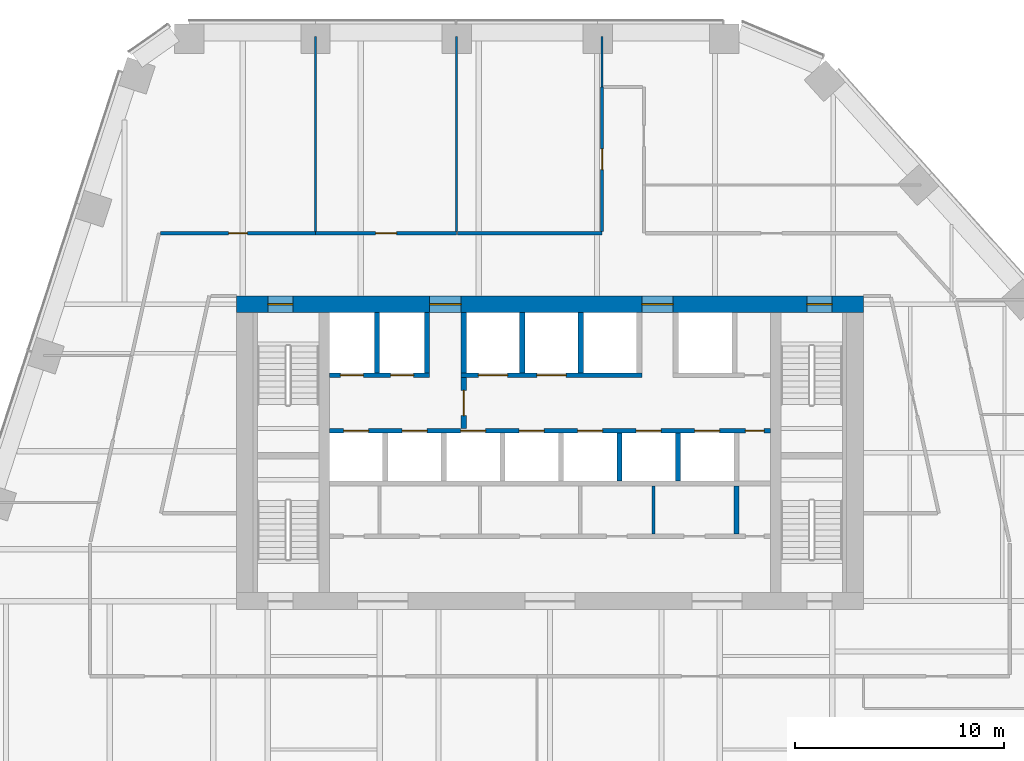
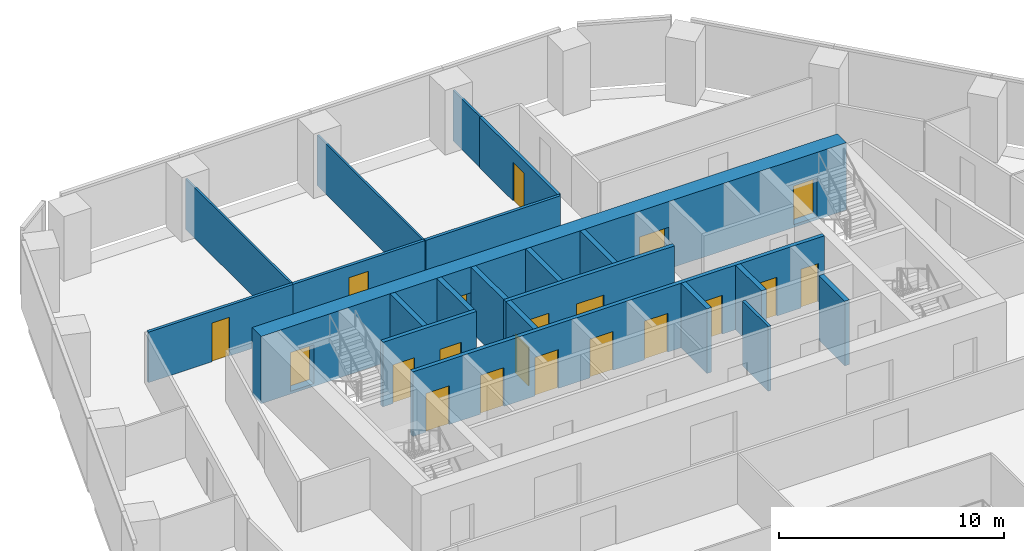
# One storey, part 12 of 16: 21 walls, 20 doors, 20 openings.
"""IFC4 building model written with IfcOpenShell, lengths in metres."""

from ifc_helpers import new_model, si_unit, direction, frame, frame_2d, origin, place, context, subcontext, project, spatial, rectangle, extrude, material, layer, layer_set, type_object, element, fill, save


model = new_model("IFC4")

# Units and contexts
model_context = context("Model", 3, precision=1e-05, world=origin(), true_north=direction((0.0, 1.0)))
body_context = subcontext(model_context, "Body", "Model", "MODEL_VIEW")
ifc_project = project(units=[si_unit("LENGTHUNIT", "METRE"), si_unit("AREAUNIT", "SQUARE_METRE"), si_unit("VOLUMEUNIT", "CUBIC_METRE"), si_unit("PLANEANGLEUNIT", "RADIAN"), si_unit("MASSUNIT", "GRAM", prefix="KILO")], contexts=[model_context])

# Site, building, storey
site_placement = place(None, origin())
site = spatial("IfcSite", under=ifc_project, at=site_placement, CompositionType="ELEMENT")
building_placement = place(site_placement, origin())
building = spatial("IfcBuilding", under=site, at=building_placement, Name="Isthmus Gate Tower", CompositionType="ELEMENT")
storey_placement = place(building_placement, frame((0.0, 0.0, 137.10009765625)))
storey = spatial("IfcBuildingStorey", under=building, at=storey_placement, Name="L33", CompositionType="ELEMENT", Elevation=137.10009765625)

# Wall, opening, door
ifc_material_1 = material(Name="Gypsum board on steel studs, fire-rated", Category="steel")
ifc_layer_1 = layer(ifc_material_1, 0.14990234375)
ifc_layer_set_1 = layer_set([ifc_layer_1], Name="CORRIDOR WALL 150 60 MIN")
wall_type_1 = type_object("IfcWallType", Name="CORRIDOR WALL 150 60 MIN", PredefinedType="PARTITIONING", material=ifc_layer_set_1)
wall_1_placement = place(storey_placement, frame((-11.2119140625, 18.0, 0.0), z_axis=(0.0, 0.0, 1.0), x_axis=(1.0, 0.0, 0.0)))
wall_1 = element("IfcWall", 1, at=wall_1_placement, inside=storey, type_object=wall_type_1, Name="L33 Corridor Wall 150 60 Min", PredefinedType="PARTITIONING", context=body_context, shape_type="SweptSolid", body=[
    extrude(rectangle(XDim=6.75, YDim=0.14990234375, at=frame_2d((3.375, 0.0))), origin(), (0.0, 0.0, 1.0), 2.7412109375),
])
opening_1_placement = place(wall_1_placement, frame((2.875, 0.0, 0.0)))
opening_1 = element("IfcOpeningElement", 2, at=opening_1_placement, cuts=wall_1, Name="Opening DT-T3B-01", PredefinedType="OPENING", context=body_context, shape_type="SweptSolid", body=[
    extrude(rectangle(XDim=1.0, YDim=2.10009765625, at=frame_2d((0.5, 1.050048828125))), frame((0.0, 0.0849609375, 0.0), z_axis=(0.0, -1.0, 0.0), x_axis=(1.0, 0.0, 0.0)), (0.0, 0.0, 1.0), 0.169921875),
])
ifc_material_2 = material(Name="Solid core timber door leaf, fire-rated", Category="wood")
door_type_1 = type_object("IfcDoorType", Name="FIRE DOOR ROOM 1000 X 2100 60 MIN", OperationType="SINGLE_SWING_LEFT", PredefinedType="DOOR", material=ifc_material_2)
door_1_placement = place(opening_1_placement, origin())
door_1 = element("IfcDoor", 3, at=door_1_placement, inside=storey, type_object=door_type_1, Name="L33 room door", OperationType="SINGLE_SWING_RIGHT", OverallHeight=2.10009765625, OverallWidth=1.0, PredefinedType="DOOR", context=body_context, shape_type="SweptSolid", body=[
    extrude(rectangle(XDim=1.0, YDim=2.10009765625, at=frame_2d((0.5, 1.050048828125))), frame((0.0, 0.02490234375, 0.0), z_axis=(0.0, -1.0, 0.0), x_axis=(1.0, 0.0, 0.0)), (0.0, 0.0, 1.0), 0.050048828125),
])
fill(opening_1, door_1)

# Wall
wall_2_placement = place(storey_placement, frame((-4.412109375, 18.0, 0.0), z_axis=(0.0, 0.0, 1.0), x_axis=(1.0, 0.0, 0.0)))
element("IfcWall", 4, at=wall_2_placement, inside=storey, type_object=wall_type_1, Name="L33 Corridor Wall 150 60 Min", PredefinedType="PARTITIONING", context=body_context, shape_type="SweptSolid", body=[
    extrude(rectangle(XDim=6.912109375, YDim=0.14990234375, at=frame_2d((3.4560546875, 0.0))), origin(), (0.0, 0.0, 1.0), 2.7412109375),
])

# Wall, opening, door
wall_3_placement = place(storey_placement, frame((2.5, 18.074951171875, 0.0), z_axis=(0.0, 0.0, 1.0), x_axis=(0.0, 1.0, 0.0)))
wall_3 = element("IfcWall", 5, at=wall_3_placement, inside=storey, type_object=wall_type_1, Name="L33 Corridor Wall 150 60 Min", PredefinedType="PARTITIONING", context=body_context, shape_type="SweptSolid", body=[
    extrude(rectangle(XDim=6.925048828125, YDim=0.14990234375, at=frame_2d((3.46240234375, 0.0))), origin(), (0.0, 0.0, 1.0), 2.7412109375),
])
opening_2_placement = place(wall_3_placement, frame((2.96240234375, 0.0, 0.0)))
opening_2 = element("IfcOpeningElement", 6, at=opening_2_placement, cuts=wall_3, Name="Opening DT-T3B-02", PredefinedType="OPENING", context=body_context, shape_type="SweptSolid", body=[
    extrude(rectangle(XDim=1.0, YDim=2.10009765625, at=frame_2d((0.5, 1.050048828125))), frame((0.0, 0.0849609375, 0.0), z_axis=(0.0, -1.0, 0.0), x_axis=(1.0, 0.0, 0.0)), (0.0, 0.0, 1.0), 0.169921875),
])
door_2_placement = place(opening_2_placement, origin())
door_2 = element("IfcDoor", 7, at=door_2_placement, inside=storey, type_object=door_type_1, Name="L33 room door", OperationType="SINGLE_SWING_RIGHT", OverallHeight=2.10009765625, OverallWidth=1.0, PredefinedType="DOOR", context=body_context, shape_type="SweptSolid", body=[
    extrude(rectangle(XDim=1.0, YDim=2.10009765625, at=frame_2d((0.5, 1.050048828125))), frame((0.0, 0.02490234375, 0.0), z_axis=(0.0, -1.0, 0.0), x_axis=(1.0, 0.0, 0.0)), (0.0, 0.0, 1.0), 0.050048828125),
])
fill(opening_2, door_2)

wall_4_placement = place(storey_placement, frame((-18.6279296875, 18.0, 0.0), z_axis=(0.0, 0.0, 1.0), x_axis=(1.0, 0.0, 0.0)))
wall_4 = element("IfcWall", 8, at=wall_4_placement, inside=storey, type_object=wall_type_1, Name="L33 Corridor Wall 150 60 Min", PredefinedType="PARTITIONING", context=body_context, shape_type="SweptSolid", body=[
    extrude(rectangle(XDim=7.416015625, YDim=0.14990234375, at=frame_2d((3.7080078125, 0.0))), origin(), (0.0, 0.0, 1.0), 2.7412109375),
])
opening_3_placement = place(wall_4_placement, frame((3.258056640625, 0.0, 0.0)))
opening_3 = element("IfcOpeningElement", 9, at=opening_3_placement, cuts=wall_4, Name="Opening DT-T3B-04", PredefinedType="OPENING", context=body_context, shape_type="SweptSolid", body=[
    extrude(rectangle(XDim=0.89990234375, YDim=2.10009765625, at=frame_2d((0.449951171875, 1.050048828125))), frame((0.0, 0.0849609375, 0.0), z_axis=(0.0, -1.0, 0.0), x_axis=(1.0, 0.0, 0.0)), (0.0, 0.0, 1.0), 0.169921875),
])
ifc_material_3 = material(Name="Solid core timber door leaf, fire-rated", Category="wood")
door_type_2 = type_object("IfcDoorType", Name="FIRE DOOR ROOM 900 X 2100 60 MIN", OperationType="SINGLE_SWING_LEFT", PredefinedType="DOOR", material=ifc_material_3)
door_3_placement = place(opening_3_placement, origin())
door_3 = element("IfcDoor", 10, at=door_3_placement, inside=storey, type_object=door_type_2, Name="L33 room door", OperationType="SINGLE_SWING_RIGHT", OverallHeight=2.10009765625, OverallWidth=0.89990234375, PredefinedType="DOOR", context=body_context, shape_type="SweptSolid", body=[
    extrude(rectangle(XDim=0.89990234375, YDim=2.10009765625, at=frame_2d((0.449951171875, 1.050048828125))), frame((0.0, 0.02490234375, 0.0), z_axis=(0.0, -1.0, 0.0), x_axis=(1.0, 0.0, 0.0)), (0.0, 0.0, 1.0), 0.050048828125),
])
fill(opening_3, door_3)

ifc_material_4 = material(Name="Fire-rated blockwork masonry, 15 MPa", Category="masonry")
ifc_layer_2 = layer(ifc_material_4, 0.25)
ifc_layer_set_2 = layer_set([ifc_layer_2], Name="FIRE-FIGHTING LOBBY WALL 250 90 MIN")
wall_type_2 = type_object("IfcWallType", Name="FIRE-FIGHTING LOBBY WALL 250 90 MIN", PredefinedType="PARTITIONING", material=ifc_layer_set_2)
wall_5_placement = place(storey_placement, frame((-4.125, 8.64990234375, 0.0), z_axis=(0.0, 0.0, 1.0), x_axis=(0.0, 1.0, 0.0)))
wall_5 = element("IfcWall", 11, at=wall_5_placement, inside=storey, type_object=wall_type_2, Name="L33 FIRE-FIGHTING LOBBY WALL 250 90 MIN", PredefinedType="PARTITIONING", context=body_context, shape_type="SweptSolid", body=[
    extrude(rectangle(XDim=2.4501953125, YDim=0.25, at=frame_2d((1.22509765625, 0.0))), origin(), (0.0, 0.0, 1.0), 3.5),
])
opening_4_placement = place(wall_5_placement, frame((0.625, 0.0, 0.0)))
opening_4 = element("IfcOpeningElement", 12, at=opening_4_placement, cuts=wall_5, Name="Opening DC-A12-01", PredefinedType="OPENING", context=body_context, shape_type="SweptSolid", body=[
    extrude(rectangle(XDim=1.199951171875, YDim=2.10009765625, at=frame_2d((0.60009765625, 1.050048828125))), frame((0.0, 0.135009765625, 0.0), z_axis=(0.0, -1.0, 0.0), x_axis=(1.0, 0.0, 0.0)), (0.0, 0.0, 1.0), 0.27001953125),
])
ifc_material_5 = material(Name="Steel door leaf, fire-rated", Category="steel")
door_type_3 = type_object("IfcDoorType", Name="LOBBY FIRE DOOR 1200 X 2100 90 MIN", OperationType="DOUBLE_DOOR_SINGLE_SWING", PredefinedType="DOOR", material=ifc_material_5)
door_4_placement = place(opening_4_placement, origin())
door_4 = element("IfcDoor", 13, at=door_4_placement, inside=storey, type_object=door_type_3, Name="Fire-fighting Lobby Door", OperationType="SINGLE_SWING_LEFT", OverallHeight=2.10009765625, OverallWidth=1.199951171875, PredefinedType="DOOR", context=body_context, shape_type="SweptSolid", body=[
    extrude(rectangle(XDim=1.199951171875, YDim=2.10009765625, at=frame_2d((0.60009765625, 1.050048828125))), frame((0.0, 0.02490234375, 0.0), z_axis=(0.0, -1.0, 0.0), x_axis=(1.0, 0.0, 0.0)), (0.0, 0.0, 1.0), 0.050048828125),
])
fill(opening_4, door_4)

# Wall, openings, doors
ifc_material_6 = material(Name="Concrete f'c 60 MPa", Category="concrete")
ifc_layer_3 = layer(ifc_material_6, 0.800048828125)
ifc_layer_set_3 = layer_set([ifc_layer_3], Name="RC CORE WALL 800 F'C 60")
wall_type_3 = type_object("IfcWallType", Name="RC CORE WALL 800 F'C 60", PredefinedType="SOLIDWALL", material=ifc_layer_set_3)
wall_6_placement = place(storey_placement, frame((-15.0, 14.60009765625, -0.150146484375), z_axis=(0.0, 0.0, 1.0), x_axis=(1.0, 0.0, 0.0)))
wall_6 = element("IfcWall", 14, at=wall_6_placement, inside=storey, type_object=wall_type_3, Name="str-corewall-L33-N", PredefinedType="SOLIDWALL", context=body_context, shape_type="SweptSolid", body=[
    extrude(rectangle(XDim=30.0, YDim=0.800048828125, at=frame_2d((15.0, 0.0))), origin(), (0.0, 0.0, 1.0), 3.650146484375),
])
opening_5_placement = place(wall_6_placement, frame((9.25, 0.0, 0.14990234375)))
opening_5 = element("IfcOpeningElement", 15, at=opening_5_placement, cuts=wall_6, Name="Opening DC-A12-13", PredefinedType="OPENING", context=body_context, shape_type="SweptSolid", body=[
    extrude(rectangle(XDim=1.5, YDim=2.10009765625, at=frame_2d((0.75, 1.050048828125))), frame((0.0, 0.409912109375, 0.0), z_axis=(0.0, -1.0, 0.0), x_axis=(1.0, 0.0, 0.0)), (0.0, 0.0, 1.0), 0.820068359375),
])
opening_6_placement = place(wall_6_placement, frame((19.39990234375, 0.0, 0.14990234375)))
opening_6 = element("IfcOpeningElement", 16, at=opening_6_placement, cuts=wall_6, Name="Opening DC-A12-14", PredefinedType="OPENING", context=body_context, shape_type="SweptSolid", body=[
    extrude(rectangle(XDim=1.5, YDim=2.10009765625, at=frame_2d((0.75, 1.050048828125))), frame((0.0, 0.409912109375, 0.0), z_axis=(0.0, -1.0, 0.0), x_axis=(1.0, 0.0, 0.0)), (0.0, 0.0, 1.0), 0.820068359375),
])
opening_7_placement = place(wall_6_placement, frame((1.5, 0.0, 0.14990234375)))
opening_7 = element("IfcOpeningElement", 17, at=opening_7_placement, cuts=wall_6, Name="Opening DC-A12-15", PredefinedType="OPENING", context=body_context, shape_type="SweptSolid", body=[
    extrude(rectangle(XDim=1.199951171875, YDim=2.10009765625, at=frame_2d((0.60009765625, 1.050048828125))), frame((0.0, 0.409912109375, 0.0), z_axis=(0.0, -1.0, 0.0), x_axis=(1.0, 0.0, 0.0)), (0.0, 0.0, 1.0), 0.820068359375),
])
opening_8_placement = place(wall_6_placement, frame((27.300048828125, 0.0, 0.14990234375)))
opening_8 = element("IfcOpeningElement", 18, at=opening_8_placement, cuts=wall_6, Name="Opening DC-A12-16", PredefinedType="OPENING", context=body_context, shape_type="SweptSolid", body=[
    extrude(rectangle(XDim=1.199951171875, YDim=2.10009765625, at=frame_2d((0.60009765625, 1.050048828125))), frame((0.0, 0.409912109375, 0.0), z_axis=(0.0, -1.0, 0.0), x_axis=(1.0, 0.0, 0.0)), (0.0, 0.0, 1.0), 0.820068359375),
])
ifc_material_7 = material(Name="Steel door leaf, fire-rated", Category="steel")
door_type_4 = type_object("IfcDoorType", Name="LOBBY FIRE DOOR 1500 X 2100 60 MIN", OperationType="DOUBLE_DOOR_SINGLE_SWING", PredefinedType="DOOR", material=ifc_material_7)
door_5_placement = place(opening_6_placement, origin())
door_5 = element("IfcDoor", 19, at=door_5_placement, inside=storey, type_object=door_type_4, Name="Lobby Door PN-E", OperationType="DOUBLE_DOOR_SINGLE_SWING", OverallHeight=2.10009765625, OverallWidth=1.5, PredefinedType="DOOR", context=body_context, shape_type="SweptSolid", body=[
    extrude(rectangle(XDim=1.5, YDim=2.10009765625, at=frame_2d((0.75, 1.050048828125))), frame((0.0, 0.02490234375, 0.0), z_axis=(0.0, -1.0, 0.0), x_axis=(1.0, 0.0, 0.0)), (0.0, 0.0, 1.0), 0.050048828125),
])
fill(opening_6, door_5)
ifc_material_8 = material(Name="Steel door leaf, fire-rated", Category="steel")
door_type_5 = type_object("IfcDoorType", Name="LOBBY FIRE DOOR 1500 X 2100 90 MIN", OperationType="DOUBLE_DOOR_SINGLE_SWING", PredefinedType="DOOR", material=ifc_material_8)
door_6_placement = place(opening_5_placement, origin())
door_6 = element("IfcDoor", 20, at=door_6_placement, inside=storey, type_object=door_type_5, Name="Lobby Door PN-W", OperationType="DOUBLE_DOOR_SINGLE_SWING", OverallHeight=2.10009765625, OverallWidth=1.5, PredefinedType="DOOR", context=body_context, shape_type="SweptSolid", body=[
    extrude(rectangle(XDim=1.5, YDim=2.10009765625, at=frame_2d((0.75, 1.050048828125))), frame((0.0, 0.02490234375, 0.0), z_axis=(0.0, -1.0, 0.0), x_axis=(1.0, 0.0, 0.0)), (0.0, 0.0, 1.0), 0.050048828125),
])
fill(opening_5, door_6)
ifc_material_9 = material(Name="Steel door leaf, fire-rated", Category="steel")
door_type_6 = type_object("IfcDoorType", Name="STAIR FIRE DOOR 1200 X 2100 90 MIN", OperationType="SINGLE_SWING_LEFT", PredefinedType="DOOR", material=ifc_material_9)
door_7_placement = place(opening_7_placement, origin())
door_7 = element("IfcDoor", 21, at=door_7_placement, inside=storey, type_object=door_type_6, Name="Exit Stair 1 Door", OperationType="SINGLE_SWING_RIGHT", OverallHeight=2.10009765625, OverallWidth=1.199951171875, PredefinedType="DOOR", context=body_context, shape_type="SweptSolid", body=[
    extrude(rectangle(XDim=1.199951171875, YDim=2.10009765625, at=frame_2d((0.60009765625, 1.050048828125))), frame((0.0, 0.02490234375, 0.0), z_axis=(0.0, -1.0, 0.0), x_axis=(1.0, 0.0, 0.0)), (0.0, 0.0, 1.0), 0.050048828125),
])
fill(opening_7, door_7)
door_8_placement = place(opening_8_placement, origin())
door_8 = element("IfcDoor", 22, at=door_8_placement, inside=storey, type_object=door_type_6, Name="Exit Stair 2 Door", OperationType="SINGLE_SWING_LEFT", OverallHeight=2.10009765625, OverallWidth=1.199951171875, PredefinedType="DOOR", context=body_context, shape_type="SweptSolid", body=[
    extrude(rectangle(XDim=1.199951171875, YDim=2.10009765625, at=frame_2d((0.60009765625, 1.050048828125))), frame((0.0, 0.02490234375, 0.0), z_axis=(0.0, -1.0, 0.0), x_axis=(1.0, 0.0, 0.0)), (0.0, 0.0, 1.0), 0.050048828125),
])
fill(opening_8, door_8)

# Walls
ifc_material_10 = material(Name="Gypsum board on steel studs, fire-rated", Category="steel")
ifc_layer_4 = layer(ifc_material_10, 0.10009765625)
ifc_layer_set_4 = layer_set([ifc_layer_4], Name="ROOM PARTITION 100 30 MIN")
wall_type_4 = type_object("IfcWallType", Name="ROOM PARTITION 100 30 MIN", PredefinedType="PARTITIONING", material=ifc_layer_set_4)
wall_7_placement = place(storey_placement, frame((-4.4619140625, 18.074951171875, 0.0), z_axis=(0.0, 0.0, 1.0), x_axis=(0.0, 1.0, 0.0)))
element("IfcWall", 23, at=wall_7_placement, inside=storey, type_object=wall_type_4, Name="L33 Room Partition 100 30 Min", PredefinedType="PARTITIONING", context=body_context, shape_type="SweptSolid", body=[
    extrude(rectangle(XDim=9.324951171875, YDim=0.10009765625, at=frame_2d((4.66259765625, 0.0))), origin(), (0.0, 0.0, 1.0), 2.7412109375),
])
wall_8_placement = place(storey_placement, frame((2.5, 25.0, 0.0), z_axis=(0.0, 0.0, 1.0), x_axis=(0.0, 1.0, 0.0)))
element("IfcWall", 24, at=wall_8_placement, inside=storey, type_object=wall_type_4, Name="L33 Room Partition 100 30 Min", PredefinedType="PARTITIONING", context=body_context, shape_type="SweptSolid", body=[
    extrude(rectangle(XDim=2.39990234375, YDim=0.10009765625, at=frame_2d((1.199951171875, 0.0))), origin(), (0.0, 0.0, 1.0), 2.7412109375),
])
wall_9_placement = place(storey_placement, frame((-11.2119140625, 18.074951171875, 0.0), z_axis=(0.0, 0.0, 1.0), x_axis=(0.0, 1.0, 0.0)))
element("IfcWall", 25, at=wall_9_placement, inside=storey, type_object=wall_type_4, Name="L33 Room Partition 100 30 Min", PredefinedType="PARTITIONING", context=body_context, shape_type="SweptSolid", body=[
    extrude(rectangle(XDim=9.324951171875, YDim=0.10009765625, at=frame_2d((4.66259765625, 0.0))), origin(), (0.0, 0.0, 1.0), 2.7412109375),
])
ifc_material_11 = material(Name="Gypsum board on steel studs, fire-rated", Category="steel")
ifc_layer_5 = layer(ifc_material_11, 0.14990234375)
ifc_layer_set_5 = layer_set([ifc_layer_5], Name="ROOM PARTITION 150 60 MIN")
wall_type_5 = type_object("IfcWallType", Name="ROOM PARTITION 150 60 MIN", PredefinedType="PARTITIONING", material=ifc_layer_set_5)
wall_10_placement = place(storey_placement, frame((4.949951171875, 3.60009765625, 0.0), z_axis=(0.0, 0.0, 1.0), x_axis=(0.0, 1.0, 0.0)))
element("IfcWall", 26, at=wall_10_placement, inside=storey, type_object=wall_type_5, Name="L33 ROOM PARTITION 150 60 MIN", PredefinedType="PARTITIONING", context=body_context, shape_type="SweptSolid", body=[
    extrude(rectangle(XDim=2.2998046875, YDim=0.14990234375, at=frame_2d((1.14990234375, 0.0))), origin(), (0.0, 0.0, 1.0), 3.5),
])

# Wall, openings, doors
ifc_material_12 = material(Name="Fire-rated blockwork masonry, 15 MPa", Category="masonry")
ifc_layer_6 = layer(ifc_material_12, 0.199951171875)
ifc_layer_set_6 = layer_set([ifc_layer_6], Name="SHAFT FRONT WALL 200 120 MIN")
wall_type_6 = type_object("IfcWallType", Name="SHAFT FRONT WALL 200 120 MIN", PredefinedType="PARTITIONING", material=ifc_layer_set_6)
wall_11_placement = place(storey_placement, frame((-10.550048828125, 8.550048828125, 0.0), z_axis=(0.0, 0.0, 1.0), x_axis=(1.0, 0.0, 0.0)))
wall_11 = element("IfcWall", 27, at=wall_11_placement, inside=storey, type_object=wall_type_6, Name="L33 SHAFT FRONT WALL 200 120 MIN", PredefinedType="PARTITIONING", context=body_context, shape_type="SweptSolid", body=[
    extrude(rectangle(XDim=21.10009765625, YDim=0.199951171875, at=frame_2d((10.550048828125, 0.0))), origin(), (0.0, 0.0, 1.0), 3.5),
])
opening_9_placement = place(wall_11_placement, frame((0.675048828125, 0.0, 0.0)))
opening_9 = element("IfcOpeningElement", 28, at=opening_9_placement, cuts=wall_11, Name="Opening LD-LB1", PredefinedType="OPENING", context=body_context, shape_type="SweptSolid", body=[
    extrude(rectangle(XDim=1.199951171875, YDim=2.10009765625, at=frame_2d((0.60009765625, 1.050048828125))), frame((0.0, 0.10986328125, 0.0), z_axis=(0.0, -1.0, 0.0), x_axis=(1.0, 0.0, 0.0)), (0.0, 0.0, 1.0), 0.219970703125),
])
opening_10_placement = place(wall_11_placement, frame((3.47509765625, 0.0, 0.0)))
opening_10 = element("IfcOpeningElement", 29, at=opening_10_placement, cuts=wall_11, Name="Opening LD-LB2", PredefinedType="OPENING", context=body_context, shape_type="SweptSolid", body=[
    extrude(rectangle(XDim=1.199951171875, YDim=2.10009765625, at=frame_2d((0.60009765625, 1.050048828125))), frame((0.0, 0.10986328125, 0.0), z_axis=(0.0, -1.0, 0.0), x_axis=(1.0, 0.0, 0.0)), (0.0, 0.0, 1.0), 0.219970703125),
])
opening_11_placement = place(wall_11_placement, frame((6.27490234375, 0.0, 0.0)))
opening_11 = element("IfcOpeningElement", 30, at=opening_11_placement, cuts=wall_11, Name="Opening LD-LB3", PredefinedType="OPENING", context=body_context, shape_type="SweptSolid", body=[
    extrude(rectangle(XDim=1.199951171875, YDim=2.10009765625, at=frame_2d((0.60009765625, 1.050048828125))), frame((0.0, 0.10986328125, 0.0), z_axis=(0.0, -1.0, 0.0), x_axis=(1.0, 0.0, 0.0)), (0.0, 0.0, 1.0), 0.219970703125),
])
opening_12_placement = place(wall_11_placement, frame((9.074951171875, 0.0, 0.0)))
opening_12 = element("IfcOpeningElement", 31, at=opening_12_placement, cuts=wall_11, Name="Opening LD-LB4", PredefinedType="OPENING", context=body_context, shape_type="SweptSolid", body=[
    extrude(rectangle(XDim=1.199951171875, YDim=2.10009765625, at=frame_2d((0.60009765625, 1.050048828125))), frame((0.0, 0.10986328125, 0.0), z_axis=(0.0, -1.0, 0.0), x_axis=(1.0, 0.0, 0.0)), (0.0, 0.0, 1.0), 0.219970703125),
])
opening_13_placement = place(wall_11_placement, frame((11.875, 0.0, 0.0)))
opening_13 = element("IfcOpeningElement", 32, at=opening_13_placement, cuts=wall_11, Name="Opening LD-LB5", PredefinedType="OPENING", context=body_context, shape_type="SweptSolid", body=[
    extrude(rectangle(XDim=1.199951171875, YDim=2.10009765625, at=frame_2d((0.60009765625, 1.050048828125))), frame((0.0, 0.10986328125, 0.0), z_axis=(0.0, -1.0, 0.0), x_axis=(1.0, 0.0, 0.0)), (0.0, 0.0, 1.0), 0.219970703125),
])
opening_14_placement = place(wall_11_placement, frame((14.675048828125, 0.0, 0.0)))
opening_14 = element("IfcOpeningElement", 33, at=opening_14_placement, cuts=wall_11, Name="Opening LD-LB6", PredefinedType="OPENING", context=body_context, shape_type="SweptSolid", body=[
    extrude(rectangle(XDim=1.199951171875, YDim=2.10009765625, at=frame_2d((0.60009765625, 1.050048828125))), frame((0.0, 0.10986328125, 0.0), z_axis=(0.0, -1.0, 0.0), x_axis=(1.0, 0.0, 0.0)), (0.0, 0.0, 1.0), 0.219970703125),
])
opening_15_placement = place(wall_11_placement, frame((17.47509765625, 0.0, 0.0)))
opening_15 = element("IfcOpeningElement", 34, at=opening_15_placement, cuts=wall_11, Name="Opening LD-LB7", PredefinedType="OPENING", context=body_context, shape_type="SweptSolid", body=[
    extrude(rectangle(XDim=1.199951171875, YDim=2.10009765625, at=frame_2d((0.60009765625, 1.050048828125))), frame((0.0, 0.10986328125, 0.0), z_axis=(0.0, -1.0, 0.0), x_axis=(1.0, 0.0, 0.0)), (0.0, 0.0, 1.0), 0.219970703125),
])
opening_16_placement = place(wall_11_placement, frame((19.89990234375, 0.0, 0.0)))
opening_16 = element("IfcOpeningElement", 35, at=opening_16_placement, cuts=wall_11, Name="Opening DC-A12-08", PredefinedType="OPENING", context=body_context, shape_type="SweptSolid", body=[
    extrude(rectangle(XDim=0.89990234375, YDim=2.10009765625, at=frame_2d((0.449951171875, 1.050048828125))), frame((0.0, 0.10986328125, 0.0), z_axis=(0.0, -1.0, 0.0), x_axis=(1.0, 0.0, 0.0)), (0.0, 0.0, 1.0), 0.219970703125),
])
ifc_material_13 = material(Name="Stainless steel sliding leaf", Category="steel")
door_type_7 = type_object("IfcDoorType", Name="LIFT LANDING FIRE DOOR 1200 X 2100 90 MIN", OperationType="DOUBLE_DOOR_SLIDING", PredefinedType="DOOR", material=ifc_material_13)
door_9_placement = place(opening_9_placement, origin())
door_9 = element("IfcDoor", 36, at=door_9_placement, inside=storey, type_object=door_type_7, Name="Lift Landing Door LB1", OperationType="DOUBLE_DOOR_SLIDING", OverallHeight=2.10009765625, OverallWidth=1.199951171875, PredefinedType="DOOR", context=body_context, shape_type="SweptSolid", body=[
    extrude(rectangle(XDim=1.199951171875, YDim=2.10009765625, at=frame_2d((0.60009765625, 1.050048828125))), frame((0.0, 0.02490234375, 0.0), z_axis=(0.0, -1.0, 0.0), x_axis=(1.0, 0.0, 0.0)), (0.0, 0.0, 1.0), 0.050048828125),
])
fill(opening_9, door_9)
door_10_placement = place(opening_10_placement, origin())
door_10 = element("IfcDoor", 37, at=door_10_placement, inside=storey, type_object=door_type_7, Name="Lift Landing Door LB2", OperationType="DOUBLE_DOOR_SLIDING", OverallHeight=2.10009765625, OverallWidth=1.199951171875, PredefinedType="DOOR", context=body_context, shape_type="SweptSolid", body=[
    extrude(rectangle(XDim=1.199951171875, YDim=2.10009765625, at=frame_2d((0.60009765625, 1.050048828125))), frame((0.0, 0.02490234375, 0.0), z_axis=(0.0, -1.0, 0.0), x_axis=(1.0, 0.0, 0.0)), (0.0, 0.0, 1.0), 0.050048828125),
])
fill(opening_10, door_10)
door_11_placement = place(opening_11_placement, origin())
door_11 = element("IfcDoor", 38, at=door_11_placement, inside=storey, type_object=door_type_7, Name="Lift Landing Door LB3", OperationType="DOUBLE_DOOR_SLIDING", OverallHeight=2.10009765625, OverallWidth=1.199951171875, PredefinedType="DOOR", context=body_context, shape_type="SweptSolid", body=[
    extrude(rectangle(XDim=1.199951171875, YDim=2.10009765625, at=frame_2d((0.60009765625, 1.050048828125))), frame((0.0, 0.02490234375, 0.0), z_axis=(0.0, -1.0, 0.0), x_axis=(1.0, 0.0, 0.0)), (0.0, 0.0, 1.0), 0.050048828125),
])
fill(opening_11, door_11)
door_12_placement = place(opening_12_placement, origin())
door_12 = element("IfcDoor", 39, at=door_12_placement, inside=storey, type_object=door_type_7, Name="Lift Landing Door LB4", OperationType="DOUBLE_DOOR_SLIDING", OverallHeight=2.10009765625, OverallWidth=1.199951171875, PredefinedType="DOOR", context=body_context, shape_type="SweptSolid", body=[
    extrude(rectangle(XDim=1.199951171875, YDim=2.10009765625, at=frame_2d((0.60009765625, 1.050048828125))), frame((0.0, 0.02490234375, 0.0), z_axis=(0.0, -1.0, 0.0), x_axis=(1.0, 0.0, 0.0)), (0.0, 0.0, 1.0), 0.050048828125),
])
fill(opening_12, door_12)
door_13_placement = place(opening_13_placement, origin())
door_13 = element("IfcDoor", 40, at=door_13_placement, inside=storey, type_object=door_type_7, Name="Lift Landing Door LB5", OperationType="DOUBLE_DOOR_SLIDING", OverallHeight=2.10009765625, OverallWidth=1.199951171875, PredefinedType="DOOR", context=body_context, shape_type="SweptSolid", body=[
    extrude(rectangle(XDim=1.199951171875, YDim=2.10009765625, at=frame_2d((0.60009765625, 1.050048828125))), frame((0.0, 0.02490234375, 0.0), z_axis=(0.0, -1.0, 0.0), x_axis=(1.0, 0.0, 0.0)), (0.0, 0.0, 1.0), 0.050048828125),
])
fill(opening_13, door_13)
door_14_placement = place(opening_14_placement, origin())
door_14 = element("IfcDoor", 41, at=door_14_placement, inside=storey, type_object=door_type_7, Name="Lift Landing Door LB6", OperationType="DOUBLE_DOOR_SLIDING", OverallHeight=2.10009765625, OverallWidth=1.199951171875, PredefinedType="DOOR", context=body_context, shape_type="SweptSolid", body=[
    extrude(rectangle(XDim=1.199951171875, YDim=2.10009765625, at=frame_2d((0.60009765625, 1.050048828125))), frame((0.0, 0.02490234375, 0.0), z_axis=(0.0, -1.0, 0.0), x_axis=(1.0, 0.0, 0.0)), (0.0, 0.0, 1.0), 0.050048828125),
])
fill(opening_14, door_14)
door_15_placement = place(opening_15_placement, origin())
door_15 = element("IfcDoor", 42, at=door_15_placement, inside=storey, type_object=door_type_7, Name="Lift Landing Door LB7", OperationType="DOUBLE_DOOR_SLIDING", OverallHeight=2.10009765625, OverallWidth=1.199951171875, PredefinedType="DOOR", context=body_context, shape_type="SweptSolid", body=[
    extrude(rectangle(XDim=1.199951171875, YDim=2.10009765625, at=frame_2d((0.60009765625, 1.050048828125))), frame((0.0, 0.02490234375, 0.0), z_axis=(0.0, -1.0, 0.0), x_axis=(1.0, 0.0, 0.0)), (0.0, 0.0, 1.0), 0.050048828125),
])
fill(opening_15, door_15)
ifc_material_14 = material(Name="Steel door leaf, fire-rated", Category="steel")
door_type_8 = type_object("IfcDoorType", Name="RISER FIRE DOOR 900 X 2100 90 MIN", OperationType="SINGLE_SWING_LEFT", PredefinedType="DOOR", material=ifc_material_14)
door_16_placement = place(opening_16_placement, origin())
door_16 = element("IfcDoor", 43, at=door_16_placement, inside=storey, type_object=door_type_8, Name="Riser Door", OperationType="SINGLE_SWING_RIGHT", OverallHeight=2.10009765625, OverallWidth=0.89990234375, PredefinedType="DOOR", context=body_context, shape_type="SweptSolid", body=[
    extrude(rectangle(XDim=0.89990234375, YDim=2.10009765625, at=frame_2d((0.449951171875, 1.050048828125))), frame((0.0, 0.02490234375, 0.0), z_axis=(0.0, -1.0, 0.0), x_axis=(1.0, 0.0, 0.0)), (0.0, 0.0, 1.0), 0.050048828125),
])
fill(opening_16, door_16)

wall_12_placement = place(storey_placement, frame((-10.550048828125, 11.199951171875, 0.0), z_axis=(0.0, 0.0, 1.0), x_axis=(1.0, 0.0, 0.0)))
wall_12 = element("IfcWall", 44, at=wall_12_placement, inside=storey, type_object=wall_type_6, Name="L33 SHAFT FRONT WALL 200 120 MIN", PredefinedType="PARTITIONING", context=body_context, shape_type="SweptSolid", body=[
    extrude(rectangle(XDim=4.800048828125, YDim=0.199951171875, at=frame_2d((2.39990234375, 0.0))), origin(), (0.0, 0.0, 1.0), 3.5),
])
opening_17_placement = place(wall_12_placement, frame((0.52490234375, 0.0, 0.0)))
opening_17 = element("IfcOpeningElement", 45, at=opening_17_placement, cuts=wall_12, Name="Opening LD-LF1", PredefinedType="OPENING", context=body_context, shape_type="SweptSolid", body=[
    extrude(rectangle(XDim=1.10009765625, YDim=2.10009765625, at=frame_2d((0.550048828125, 1.050048828125))), frame((0.0, 0.10986328125, 0.0), z_axis=(0.0, -1.0, 0.0), x_axis=(1.0, 0.0, 0.0)), (0.0, 0.0, 1.0), 0.219970703125),
])
opening_18_placement = place(wall_12_placement, frame((2.925048828125, 0.0, 0.0)))
opening_18 = element("IfcOpeningElement", 46, at=opening_18_placement, cuts=wall_12, Name="Opening LD-LF2", PredefinedType="OPENING", context=body_context, shape_type="SweptSolid", body=[
    extrude(rectangle(XDim=1.10009765625, YDim=2.10009765625, at=frame_2d((0.550048828125, 1.050048828125))), frame((0.0, 0.10986328125, 0.0), z_axis=(0.0, -1.0, 0.0), x_axis=(1.0, 0.0, 0.0)), (0.0, 0.0, 1.0), 0.219970703125),
])
ifc_material_15 = material(Name="Stainless steel sliding leaf", Category="steel")
door_type_9 = type_object("IfcDoorType", Name="LIFT LANDING FIRE DOOR 1100 X 2100 90 MIN", OperationType="DOUBLE_DOOR_SLIDING", PredefinedType="DOOR", material=ifc_material_15)
door_17_placement = place(opening_17_placement, origin())
door_17 = element("IfcDoor", 47, at=door_17_placement, inside=storey, type_object=door_type_9, Name="Lift Landing Door LF1", OperationType="DOUBLE_DOOR_SLIDING", OverallHeight=2.10009765625, OverallWidth=1.10009765625, PredefinedType="DOOR", context=body_context, shape_type="SweptSolid", body=[
    extrude(rectangle(XDim=1.10009765625, YDim=2.10009765625, at=frame_2d((0.550048828125, 1.050048828125))), frame((0.0, 0.02490234375, 0.0), z_axis=(0.0, -1.0, 0.0), x_axis=(1.0, 0.0, 0.0)), (0.0, 0.0, 1.0), 0.050048828125),
])
fill(opening_17, door_17)
door_18_placement = place(opening_18_placement, origin())
door_18 = element("IfcDoor", 48, at=door_18_placement, inside=storey, type_object=door_type_9, Name="Lift Landing Door LF2", OperationType="DOUBLE_DOOR_SLIDING", OverallHeight=2.10009765625, OverallWidth=1.10009765625, PredefinedType="DOOR", context=body_context, shape_type="SweptSolid", body=[
    extrude(rectangle(XDim=1.10009765625, YDim=2.10009765625, at=frame_2d((0.550048828125, 1.050048828125))), frame((0.0, 0.02490234375, 0.0), z_axis=(0.0, -1.0, 0.0), x_axis=(1.0, 0.0, 0.0)), (0.0, 0.0, 1.0), 0.050048828125),
])
fill(opening_18, door_18)

wall_13_placement = place(storey_placement, frame((-4.25, 11.199951171875, 0.0), z_axis=(0.0, 0.0, 1.0), x_axis=(1.0, 0.0, 0.0)))
wall_13 = element("IfcWall", 49, at=wall_13_placement, inside=storey, type_object=wall_type_6, Name="L33 SHAFT FRONT WALL 200 120 MIN", PredefinedType="PARTITIONING", context=body_context, shape_type="SweptSolid", body=[
    extrude(rectangle(XDim=8.64990234375, YDim=0.199951171875, at=frame_2d((4.324951171875, 0.0))), origin(), (0.0, 0.0, 1.0), 3.5),
])
opening_19_placement = place(wall_13_placement, frame((0.824951171875, 0.0, 0.0)))
opening_19 = element("IfcOpeningElement", 50, at=opening_19_placement, cuts=wall_13, Name="Opening LD-LV1", PredefinedType="OPENING", context=body_context, shape_type="SweptSolid", body=[
    extrude(rectangle(XDim=1.39990234375, YDim=2.10009765625, at=frame_2d((0.699951171875, 1.050048828125))), frame((0.0, 0.10986328125, 0.0), z_axis=(0.0, -1.0, 0.0), x_axis=(1.0, 0.0, 0.0)), (0.0, 0.0, 1.0), 0.219970703125),
])
opening_20_placement = place(wall_13_placement, frame((3.625, 0.0, 0.0)))
opening_20 = element("IfcOpeningElement", 51, at=opening_20_placement, cuts=wall_13, Name="Opening LD-LV2", PredefinedType="OPENING", context=body_context, shape_type="SweptSolid", body=[
    extrude(rectangle(XDim=1.39990234375, YDim=2.10009765625, at=frame_2d((0.699951171875, 1.050048828125))), frame((0.0, 0.10986328125, 0.0), z_axis=(0.0, -1.0, 0.0), x_axis=(1.0, 0.0, 0.0)), (0.0, 0.0, 1.0), 0.219970703125),
])
ifc_material_16 = material(Name="Stainless steel sliding leaf", Category="steel")
door_type_10 = type_object("IfcDoorType", Name="LIFT LANDING FIRE DOOR 1400 X 2100 90 MIN", OperationType="DOUBLE_DOOR_SLIDING", PredefinedType="DOOR", material=ifc_material_16)
door_19_placement = place(opening_19_placement, origin())
door_19 = element("IfcDoor", 52, at=door_19_placement, inside=storey, type_object=door_type_10, Name="Lift Landing Door LV1", OperationType="DOUBLE_DOOR_SLIDING", OverallHeight=2.10009765625, OverallWidth=1.39990234375, PredefinedType="DOOR", context=body_context, shape_type="SweptSolid", body=[
    extrude(rectangle(XDim=1.39990234375, YDim=2.10009765625, at=frame_2d((0.699951171875, 1.050048828125))), frame((0.0, 0.02490234375, 0.0), z_axis=(0.0, -1.0, 0.0), x_axis=(1.0, 0.0, 0.0)), (0.0, 0.0, 1.0), 0.050048828125),
])
fill(opening_19, door_19)
door_20_placement = place(opening_20_placement, origin())
door_20 = element("IfcDoor", 53, at=door_20_placement, inside=storey, type_object=door_type_10, Name="Lift Landing Door LV2", OperationType="DOUBLE_DOOR_SLIDING", OverallHeight=2.10009765625, OverallWidth=1.39990234375, PredefinedType="DOOR", context=body_context, shape_type="SweptSolid", body=[
    extrude(rectangle(XDim=1.39990234375, YDim=2.10009765625, at=frame_2d((0.699951171875, 1.050048828125))), frame((0.0, 0.02490234375, 0.0), z_axis=(0.0, -1.0, 0.0), x_axis=(1.0, 0.0, 0.0)), (0.0, 0.0, 1.0), 0.050048828125),
])
fill(opening_20, door_20)

# Walls
ifc_material_17 = material(Name="Fire-rated blockwork masonry, 15 MPa", Category="masonry")
ifc_layer_7 = layer(ifc_material_17, 0.25)
ifc_layer_set_7 = layer_set([ifc_layer_7], Name="SHAFT WALL 250 120 MIN")
wall_type_7 = type_object("IfcWallType", Name="SHAFT WALL 250 120 MIN", PredefinedType="PARTITIONING", material=ifc_layer_set_7)
wall_14_placement = place(storey_placement, frame((8.925048828125, 3.60009765625, 0.0), z_axis=(0.0, 0.0, 1.0), x_axis=(0.0, 1.0, 0.0)))
element("IfcWall", 54, at=wall_14_placement, inside=storey, type_object=wall_type_7, Name="L33 SHAFT WALL 250 120 MIN", PredefinedType="PARTITIONING", context=body_context, shape_type="SweptSolid", body=[
    extrude(rectangle(XDim=2.2998046875, YDim=0.25, at=frame_2d((1.14990234375, 0.0))), origin(), (0.0, 0.0, 1.0), 3.5),
])
for number, where, z_axis, x_axis, name in (
    (55, (3.324951171875, 6.14990234375, 0.0), (0.0, 0.0, 1.0), (0.0, 1.0, 0.0), "L33 SHAFT WALL 250 120 MIN"),
    (56, (6.125, 6.14990234375, 0.0), (0.0, 0.0, 1.0), (0.0, 1.0, 0.0), "L33 SHAFT WALL 250 120 MIN"),
):
    element("IfcWall", number, at=place(storey_placement, frame(where, z_axis=z_axis, x_axis=x_axis)), inside=storey, type_object=wall_type_7, Name=name, PredefinedType="PARTITIONING", context=body_context, shape_type="SweptSolid", body=[
        extrude(rectangle(XDim=2.300048828125, YDim=0.25, at=frame_2d((1.14990234375, 0.0))), origin(), (0.0, 0.0, 1.0), 3.5),
    ])
for number, where, z_axis, x_axis, name in (
    (57, (-8.27490234375, 11.300048828125, 0.0), (0.0, 0.0, 1.0), (0.0, 1.0, 0.0), "L33 SHAFT WALL 250 120 MIN"),
    (58, (-5.875, 11.300048828125, 0.0), (0.0, 0.0, 1.0), (0.0, 1.0, 0.0), "L33 SHAFT WALL 250 120 MIN"),
    (59, (-4.125, 11.300048828125, 0.0), (0.0, 0.0, 1.0), (0.0, 1.0, 0.0), "L33 SHAFT WALL 250 120 MIN"),
    (60, (-1.324951171875, 11.300048828125, 0.0), (0.0, 0.0, 1.0), (0.0, 1.0, 0.0), "L33 SHAFT WALL 250 120 MIN"),
    (61, (1.47509765625, 11.300048828125, 0.0), (0.0, 0.0, 1.0), (0.0, 1.0, 0.0), "L33 SHAFT WALL 250 120 MIN"),
):
    element("IfcWall", number, at=place(storey_placement, frame(where, z_axis=z_axis, x_axis=x_axis)), inside=storey, type_object=wall_type_7, Name=name, PredefinedType="PARTITIONING", context=body_context, shape_type="SweptSolid", body=[
        extrude(rectangle(XDim=2.89990234375, YDim=0.25, at=frame_2d((1.449951171875, 0.0))), origin(), (0.0, 0.0, 1.0), 3.5),
    ])

save(model, "model.ifc")
